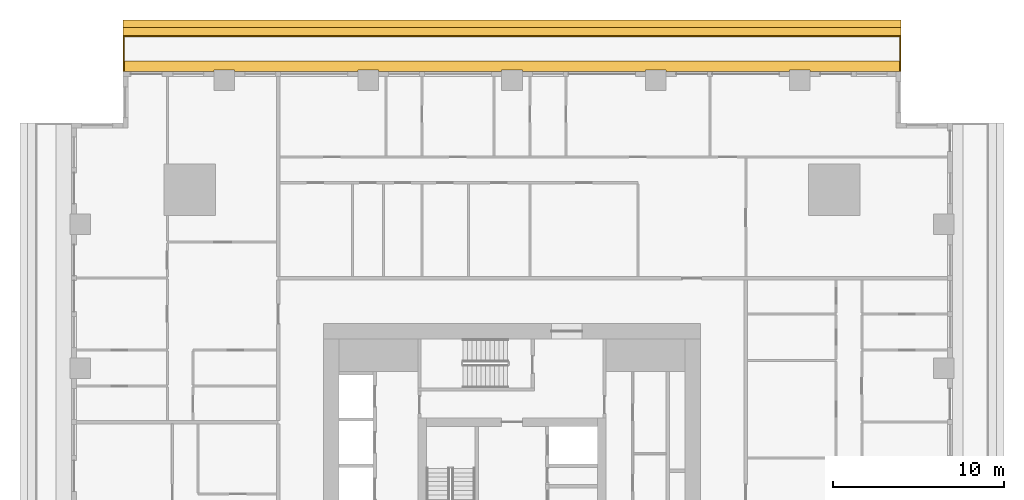
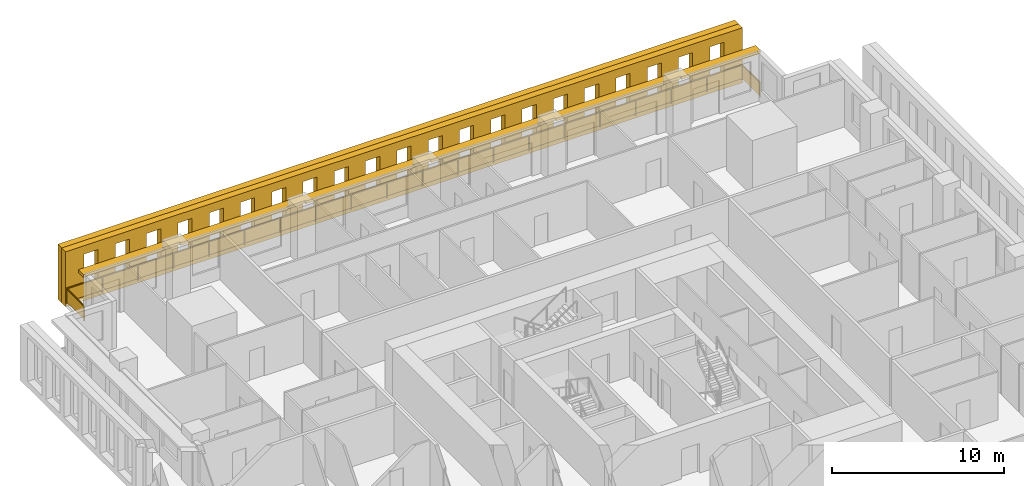
# One storey, part 14 of 14: 3 shading devices, 1 railing.
"""IFC4 building model written with IfcOpenShell, lengths in metres."""

import ifcopenshell
import ifcopenshell.guid

model = None  # the IFC model being written
_history = None  # IfcOwnerHistory: only IFC2X3 demands one
_inside = {}  # id of a spatial element -> (the spatial element, [elements in it])
_under = {}  # id of a project, library or spatial element -> (it, [spatial elements below it])
_declared = {}  # id of a project -> (the project, [libraries it declares])
_typed = {}  # id of a type object -> (the type object, [elements of that type])
_made_of = {}  # id of a material, layer set ... -> (it, [elements and type objects made of it])


def new_model(schema):
    """Start an empty IFC model of exactly this schema.

    Asked for "IFC4X3", IfcOpenShell would pick the latest addendum, in which some entities
    have other attributes; the version numbers below select the first issue.
    IFC2X3 requires an IfcOwnerHistory on every rooted entity: one is made here for all.
    """
    global model, _history
    if schema == "IFC4X3":
        model = ifcopenshell.file(schema_version=(4, 3, 0, 0))
    else:
        model = ifcopenshell.file(schema=schema)
    _inside.clear()
    _under.clear()
    _declared.clear()
    _typed.clear()
    _made_of.clear()
    _history = None
    if model.schema == "IFC2X3":
        org = make("IfcOrganization", Name="unknown")
        user = make(
            "IfcPersonAndOrganization",
            ThePerson=make("IfcPerson", FamilyName="unknown"),
            TheOrganization=org,
        )
        app = make(
            "IfcApplication",
            ApplicationDeveloper=org,
            Version="unknown",
            ApplicationFullName="unknown",
            ApplicationIdentifier="unknown",
        )
        _history = make(
            "IfcOwnerHistory",
            OwningUser=user,
            OwningApplication=app,
            ChangeAction="ADDED",
            CreationDate=0,
        )
    return model


def make(cls, **values):
    """One entity of the class cls with the attributes given. An attribute that is None is left unset."""
    return model.create_entity(
        cls, **{name: value for name, value in values.items() if value is not None}
    )


def rooted(cls, **values):
    """An entity with a GlobalId (a new one), such as an element, a storey or a relation."""
    return make(cls, GlobalId=ifcopenshell.guid.new(), OwnerHistory=_history, **values)


def si_unit(unit_type, name, prefix=None):
    """IfcSIUnit, for example si_unit("LENGTHUNIT", "METRE", prefix="MILLI")."""
    return make("IfcSIUnit", UnitType=unit_type, Prefix=prefix, Name=name)


def assignment(units):
    """IfcUnitAssignment: the units of a project."""
    return None if units is None else make("IfcUnitAssignment", Units=units)


def point(xyz):
    """IfcCartesianPoint."""
    return None if xyz is None else make("IfcCartesianPoint", Coordinates=xyz)


def direction(xyz):
    """IfcDirection."""
    return None if xyz is None else make("IfcDirection", DirectionRatios=xyz)


def frame(location, z_axis=None, x_axis=None):
    """IfcAxis2Placement3D, a coordinate frame: its origin and axes. An axis left out is left unset."""
    return make(
        "IfcAxis2Placement3D",
        Location=point(location),
        Axis=direction(z_axis),
        RefDirection=direction(x_axis),
    )


def frame_2d(location, x_axis=None):
    """IfcAxis2Placement2D, a coordinate frame in the plane: its origin and x axis."""
    return make(
        "IfcAxis2Placement2D", Location=point(location), RefDirection=direction(x_axis)
    )


def origin():
    """The frame at (0, 0, 0) with its axes left unset."""
    return frame((0.0, 0.0, 0.0))


def origin_2d():
    """The frame at (0, 0) in the plane with its x axis left unset."""
    return frame_2d((0.0, 0.0))


def place(relative_to, where):
    """IfcLocalPlacement: puts the frame where relative to a parent placement (None: the world)."""
    return make(
        "IfcLocalPlacement", PlacementRelTo=relative_to, RelativePlacement=where
    )


def context(
    kind, dimensions, precision=None, world=None, true_north=None, identifier=None
):
    """IfcGeometricRepresentationContext, for example the 3D "Model" context."""
    return make(
        "IfcGeometricRepresentationContext",
        ContextIdentifier=identifier,
        ContextType=kind,
        CoordinateSpaceDimension=dimensions,
        Precision=precision,
        WorldCoordinateSystem=world,
        TrueNorth=true_north,
    )


def subcontext(parent, identifier, kind, view, scale=None):
    """IfcGeometricRepresentationSubContext, for example "Body" below "Model"."""
    return make(
        "IfcGeometricRepresentationSubContext",
        ContextIdentifier=identifier,
        ContextType=kind,
        ParentContext=parent,
        TargetScale=scale,
        TargetView=view,
    )


def project(units=None, contexts=None):
    """IfcProject with its units and contexts."""
    return rooted(
        "IfcProject",
        Name="project",
        RepresentationContexts=contexts,
        UnitsInContext=assignment(units),
    )


def spatial(cls, under=None, at=None, **own):
    """A site, building, storey or space (cls), placed at a placement, below another one or the project."""
    s = rooted(cls, ObjectPlacement=at, **own)
    if under is not None:
        _under.setdefault(under.id(), (under, []))[1].append(s)
    return s


def polyline(points):
    """IfcPolyline through the points."""
    return make("IfcPolyline", Points=[point(p) for p in points])


def profile(cls, at=None, kind="AREA", **sizes):
    """A parametric profile (cls). Its sizes go by their IFC names, for example OverallWidth=200.0."""
    return make(cls, ProfileType=kind, Position=at, **sizes)


def rectangle(**sizes):
    """IfcRectangleProfileDef."""
    return profile("IfcRectangleProfileDef", **sizes)


def outline(outer, holes=None, kind="AREA"):
    """IfcArbitraryClosedProfileDef: a profile drawn as a closed curve; with holes, ...WithVoids."""
    if holes is None:
        return make("IfcArbitraryClosedProfileDef", ProfileType=kind, OuterCurve=outer)
    return make(
        "IfcArbitraryProfileDefWithVoids",
        ProfileType=kind,
        OuterCurve=outer,
        InnerCurves=holes,
    )


def extrude(swept, where, along, depth):
    """IfcExtrudedAreaSolid: the profile swept, set in the frame where, extruded along a direction by depth."""
    return make(
        "IfcExtrudedAreaSolid",
        SweptArea=swept,
        Position=where,
        ExtrudedDirection=direction(along),
        Depth=depth,
    )


def shape(context_of_items, identifier, shape_type, items):
    """IfcShapeRepresentation: the items that make up one representation, for example the "Body"."""
    return make(
        "IfcShapeRepresentation",
        ContextOfItems=context_of_items,
        RepresentationIdentifier=identifier,
        RepresentationType=shape_type,
        Items=items,
    )


def material(Name=None, Category=None):
    """IfcMaterial."""
    return make("IfcMaterial", Name=Name, Category=Category)


def layer(
    of_material, thickness, ventilated=None, Name=None, Category=None, Priority=None
):
    """IfcMaterialLayer: one layer of a wall or slab, of a material (None: an air gap)."""
    return make(
        "IfcMaterialLayer",
        Material=of_material,
        LayerThickness=thickness,
        IsVentilated=ventilated,
        Name=Name,
        Category=Category,
        Priority=Priority,
    )


def layer_set(layers, Name=None):
    """IfcMaterialLayerSet."""
    return make("IfcMaterialLayerSet", MaterialLayers=layers, LayerSetName=Name)


def made_of(thing, what):
    """Note that an element or type object is made of a material, layer set ...; save() writes the relation."""
    if what is not None:
        _made_of.setdefault(what.id(), (what, []))[1].append(thing)
    return thing


def type_object(cls, material=None, **own):
    """A type object (cls), such as IfcWallType, which elements share."""
    return made_of(rooted(cls, **own), material)


def element(
    cls,
    number,
    at=None,
    inside=None,
    cuts=None,
    type_object=None,
    material=None,
    context=None,
    identifier="Body",
    shape_type=None,
    held_by="IfcProductDefinitionShape",
    body=None,
    shapes=None,
    **own,
):
    """One element of the class cls, such as IfcWall. Its Tag is "e" and its number.

    at: its placement. inside: the storey or other place that contains it. cuts: it is an
    opening in that element (IfcRelVoidsElement). A single representation is given by context,
    identifier, shape_type and body (its items); several are given by shapes. held_by: the class
    of the entity that holds the representations. save() writes the other relations.
    """
    e = rooted(cls, Tag="e%d" % number, ObjectPlacement=at, **own)
    if body is not None:
        shapes = [shape(context, identifier, shape_type, body)]
    if shapes is not None:
        e.Representation = make(held_by, Representations=shapes)
    if inside is not None:
        _inside.setdefault(inside.id(), (inside, []))[1].append(e)
    if cuts is not None:
        rooted(
            "IfcRelVoidsElement", RelatingBuildingElement=cuts, RelatedOpeningElement=e
        )
    if type_object is not None:
        _typed.setdefault(type_object.id(), (type_object, []))[1].append(e)
    return made_of(e, material)


def aggregate(whole, parts):
    """IfcRelAggregates: a whole, such as a stair, and the parts it consists of."""
    return rooted("IfcRelAggregates", RelatingObject=whole, RelatedObjects=parts)


def save(model, path):
    """Write the relations noted so far, then the file.

    IfcRelAggregates (storeys below a building ...), IfcRelContainedInSpatialStructure (elements
    in a storey), IfcRelDefinesByType, IfcRelAssociatesMaterial and IfcRelDeclares: one each for
    every whole, place, type object, material and project.
    """
    for whole, parts in _under.values():
        aggregate(whole, parts)
    for where, things in _inside.values():
        rooted(
            "IfcRelContainedInSpatialStructure",
            RelatedElements=things,
            RelatingStructure=where,
        )
    for kind, things in _typed.values():
        rooted("IfcRelDefinesByType", RelatedObjects=things, RelatingType=kind)
    for what, things in _made_of.values():
        rooted("IfcRelAssociatesMaterial", RelatedObjects=things, RelatingMaterial=what)
    for by, libraries in _declared.values():
        rooted("IfcRelDeclares", RelatingContext=by, RelatedDefinitions=libraries)
    model.write(path)


model = new_model("IFC4")

# Units and contexts
model_context = context("Model", 3, precision=1e-05, world=origin(), true_north=direction((0.0, 1.0)))
body_context = subcontext(model_context, "Body", "Model", "MODEL_VIEW")
ifc_project = project(units=[si_unit("LENGTHUNIT", "METRE"), si_unit("AREAUNIT", "SQUARE_METRE"), si_unit("VOLUMEUNIT", "CUBIC_METRE"), si_unit("PLANEANGLEUNIT", "RADIAN"), si_unit("MASSUNIT", "GRAM", prefix="KILO")], contexts=[model_context])

# Site, building, storey
site_placement = place(None, origin())
site = spatial("IfcSite", under=ifc_project, at=site_placement, CompositionType="ELEMENT")
building_placement = place(site_placement, origin())
building = spatial("IfcBuilding", under=site, at=building_placement, Name="Khepri Terraces", CompositionType="ELEMENT")
storey_placement = place(building_placement, frame((0.0, 0.0, 69.89990234375)))
storey = spatial("IfcBuildingStorey", under=building, at=storey_placement, Name="L16", CompositionType="ELEMENT", Elevation=69.89990234375)

# Railing
ifc_material_1 = material(Name="Stainless steel grade 316", Category="steel")
railing_type = type_object("IfcRailingType", Name="GRD-BAL-1100", PredefinedType="GUARDRAIL", material=ifc_material_1)
railing_placement = place(storey_placement, frame((22.669921875, 25.719970703125, 0.0)))
element("IfcRailing", 1, at=railing_placement, inside=storey, type_object=railing_type, Name="Balcony guard L16 N", PredefinedType="GUARDRAIL", context=body_context, shape_type="SweptSolid", body=[
    extrude(rectangle(XDim=0.050048828125, YDim=0.06005859375, at=origin_2d()), frame((0.0, 0.0, 1.070068359375), z_axis=(0.0, 1.0, 0.0), x_axis=(-1.0, 0.0, 0.0)), (0.0, 0.0, 1.0), 2.050048828125),
    extrude(rectangle(XDim=2.0, YDim=0.011962890625, at=origin_2d()), frame((0.0, 1.02490234375, 0.10009765625), z_axis=(0.0, 0.0, 1.0), x_axis=(0.0, 1.0, 0.0)), (0.0, 0.0, 1.0), 0.93994140625),
    extrude(rectangle(XDim=0.050048828125, YDim=0.06005859375, at=origin_2d()), frame((0.0, 2.050048828125, 1.070068359375), z_axis=(-1.0, 0.0, 0.0), x_axis=(0.0, -1.0, 0.0)), (0.0, 0.0, 1.0), 45.33984375),
    extrude(rectangle(XDim=2.336181640625, YDim=0.011962890625, at=origin_2d()), frame((-1.193115234375, 2.050048828125, 0.10009765625), z_axis=(0.0, 0.0, 1.0), x_axis=(-1.0, 0.0, 0.0)), (0.0, 0.0, 1.0), 0.93994140625),
    extrude(rectangle(XDim=2.336181640625, YDim=0.011962890625, at=origin_2d()), frame((-3.579345703125, 2.050048828125, 0.10009765625), z_axis=(0.0, 0.0, 1.0), x_axis=(-1.0, 0.0, 0.0)), (0.0, 0.0, 1.0), 0.93994140625),
    extrude(rectangle(XDim=2.336181640625, YDim=0.011962890625, at=origin_2d()), frame((-5.9658203125, 2.050048828125, 0.10009765625), z_axis=(0.0, 0.0, 1.0), x_axis=(-1.0, 0.0, 0.0)), (0.0, 0.0, 1.0), 0.93994140625),
    extrude(rectangle(XDim=2.336181640625, YDim=0.011962890625, at=origin_2d()), frame((-8.35205078125, 2.050048828125, 0.10009765625), z_axis=(0.0, 0.0, 1.0), x_axis=(-1.0, 0.0, 0.0)), (0.0, 0.0, 1.0), 0.93994140625),
    extrude(rectangle(XDim=2.336181640625, YDim=0.011962890625, at=origin_2d()), frame((-10.73828125, 2.050048828125, 0.10009765625), z_axis=(0.0, 0.0, 1.0), x_axis=(-1.0, 0.0, 0.0)), (0.0, 0.0, 1.0), 0.93994140625),
    extrude(rectangle(XDim=2.336181640625, YDim=0.011962890625, at=origin_2d()), frame((-13.124755859375, 2.050048828125, 0.10009765625), z_axis=(0.0, 0.0, 1.0), x_axis=(-1.0, 0.0, 0.0)), (0.0, 0.0, 1.0), 0.93994140625),
    extrude(rectangle(XDim=2.336181640625, YDim=0.011962890625, at=origin_2d()), frame((-15.510986328125, 2.050048828125, 0.10009765625), z_axis=(0.0, 0.0, 1.0), x_axis=(-1.0, 0.0, 0.0)), (0.0, 0.0, 1.0), 0.93994140625),
    extrude(rectangle(XDim=2.336181640625, YDim=0.011962890625, at=origin_2d()), frame((-17.897216796875, 2.050048828125, 0.10009765625), z_axis=(0.0, 0.0, 1.0), x_axis=(-1.0, 0.0, 0.0)), (0.0, 0.0, 1.0), 0.93994140625),
    extrude(rectangle(XDim=2.336181640625, YDim=0.011962890625, at=origin_2d()), frame((-20.28369140625, 2.050048828125, 0.10009765625), z_axis=(0.0, 0.0, 1.0), x_axis=(-1.0, 0.0, 0.0)), (0.0, 0.0, 1.0), 0.93994140625),
    extrude(rectangle(XDim=2.336181640625, YDim=0.011962890625, at=origin_2d()), frame((-22.669921875, 2.050048828125, 0.10009765625), z_axis=(0.0, 0.0, 1.0), x_axis=(-1.0, 0.0, 0.0)), (0.0, 0.0, 1.0), 0.93994140625),
    extrude(rectangle(XDim=2.336181640625, YDim=0.011962890625, at=origin_2d()), frame((-25.05615234375, 2.050048828125, 0.10009765625), z_axis=(0.0, 0.0, 1.0), x_axis=(-1.0, 0.0, 0.0)), (0.0, 0.0, 1.0), 0.93994140625),
    extrude(rectangle(XDim=2.336181640625, YDim=0.011962890625, at=origin_2d()), frame((-27.442626953125, 2.050048828125, 0.10009765625), z_axis=(0.0, 0.0, 1.0), x_axis=(-1.0, 0.0, 0.0)), (0.0, 0.0, 1.0), 0.93994140625),
    extrude(rectangle(XDim=2.336181640625, YDim=0.011962890625, at=origin_2d()), frame((-29.828857421875, 2.050048828125, 0.10009765625), z_axis=(0.0, 0.0, 1.0), x_axis=(-1.0, 0.0, 0.0)), (0.0, 0.0, 1.0), 0.93994140625),
    extrude(rectangle(XDim=2.336181640625, YDim=0.011962890625, at=origin_2d()), frame((-32.215087890625, 2.050048828125, 0.10009765625), z_axis=(0.0, 0.0, 1.0), x_axis=(-1.0, 0.0, 0.0)), (0.0, 0.0, 1.0), 0.93994140625),
    extrude(rectangle(XDim=2.336181640625, YDim=0.011962890625, at=origin_2d()), frame((-34.6015625, 2.050048828125, 0.10009765625), z_axis=(0.0, 0.0, 1.0), x_axis=(-1.0, 0.0, 0.0)), (0.0, 0.0, 1.0), 0.93994140625),
    extrude(rectangle(XDim=2.336181640625, YDim=0.011962890625, at=origin_2d()), frame((-36.98779296875, 2.050048828125, 0.10009765625), z_axis=(0.0, 0.0, 1.0), x_axis=(-1.0, 0.0, 0.0)), (0.0, 0.0, 1.0), 0.93994140625),
    extrude(rectangle(XDim=2.336181640625, YDim=0.011962890625, at=origin_2d()), frame((-39.3740234375, 2.050048828125, 0.10009765625), z_axis=(0.0, 0.0, 1.0), x_axis=(-1.0, 0.0, 0.0)), (0.0, 0.0, 1.0), 0.93994140625),
    extrude(rectangle(XDim=2.336181640625, YDim=0.011962890625, at=origin_2d()), frame((-41.760498046875, 2.050048828125, 0.10009765625), z_axis=(0.0, 0.0, 1.0), x_axis=(-1.0, 0.0, 0.0)), (0.0, 0.0, 1.0), 0.93994140625),
    extrude(rectangle(XDim=2.336181640625, YDim=0.011962890625, at=origin_2d()), frame((-44.146728515625, 2.050048828125, 0.10009765625), z_axis=(0.0, 0.0, 1.0), x_axis=(-1.0, 0.0, 0.0)), (0.0, 0.0, 1.0), 0.93994140625),
    extrude(rectangle(XDim=0.050048828125, YDim=0.06005859375, at=origin_2d()), frame((-45.33984375, 2.050048828125, 1.070068359375), z_axis=(0.0, -1.0, 0.0), x_axis=(1.0, 0.0, 0.0)), (0.0, 0.0, 1.0), 2.050048828125),
    extrude(rectangle(XDim=2.0, YDim=0.011962890625, at=origin_2d()), frame((-45.33984375, 1.02490234375, 0.10009765625), z_axis=(0.0, 0.0, 1.0), x_axis=(0.0, -1.0, 0.0)), (0.0, 0.0, 1.0), 0.93994140625),
    extrude(rectangle(XDim=0.050048828125, YDim=0.050048828125, at=origin_2d()), origin(), (0.0, 0.0, 1.0), 1.0400390625),
    extrude(rectangle(XDim=0.050048828125, YDim=0.050048828125, at=origin_2d()), frame((0.0, 2.050048828125, 0.0)), (0.0, 0.0, 1.0), 1.0400390625),
    extrude(rectangle(XDim=0.050048828125, YDim=0.050048828125, at=origin_2d()), frame((-2.38623046875, 2.050048828125, 0.0)), (0.0, 0.0, 1.0), 1.0400390625),
    extrude(rectangle(XDim=0.050048828125, YDim=0.050048828125, at=origin_2d()), frame((-4.772705078125, 2.050048828125, 0.0)), (0.0, 0.0, 1.0), 1.0400390625),
    extrude(rectangle(XDim=0.050048828125, YDim=0.050048828125, at=origin_2d()), frame((-7.158935546875, 2.050048828125, 0.0)), (0.0, 0.0, 1.0), 1.0400390625),
    extrude(rectangle(XDim=0.050048828125, YDim=0.050048828125, at=origin_2d()), frame((-9.545166015625, 2.050048828125, 0.0)), (0.0, 0.0, 1.0), 1.0400390625),
    extrude(rectangle(XDim=0.050048828125, YDim=0.050048828125, at=origin_2d()), frame((-11.931640625, 2.050048828125, 0.0)), (0.0, 0.0, 1.0), 1.0400390625),
    extrude(rectangle(XDim=0.050048828125, YDim=0.050048828125, at=origin_2d()), frame((-14.31787109375, 2.050048828125, 0.0)), (0.0, 0.0, 1.0), 1.0400390625),
    extrude(rectangle(XDim=0.050048828125, YDim=0.050048828125, at=origin_2d()), frame((-16.7041015625, 2.050048828125, 0.0)), (0.0, 0.0, 1.0), 1.0400390625),
    extrude(rectangle(XDim=0.050048828125, YDim=0.050048828125, at=origin_2d()), frame((-19.090576171875, 2.050048828125, 0.0)), (0.0, 0.0, 1.0), 1.0400390625),
    extrude(rectangle(XDim=0.050048828125, YDim=0.050048828125, at=origin_2d()), frame((-21.476806640625, 2.050048828125, 0.0)), (0.0, 0.0, 1.0), 1.0400390625),
    extrude(rectangle(XDim=0.050048828125, YDim=0.050048828125, at=origin_2d()), frame((-23.863037109375, 2.050048828125, 0.0)), (0.0, 0.0, 1.0), 1.0400390625),
    extrude(rectangle(XDim=0.050048828125, YDim=0.050048828125, at=origin_2d()), frame((-26.249267578125, 2.050048828125, 0.0)), (0.0, 0.0, 1.0), 1.0400390625),
    extrude(rectangle(XDim=0.050048828125, YDim=0.050048828125, at=origin_2d()), frame((-28.6357421875, 2.050048828125, 0.0)), (0.0, 0.0, 1.0), 1.0400390625),
    extrude(rectangle(XDim=0.050048828125, YDim=0.050048828125, at=origin_2d()), frame((-31.02197265625, 2.050048828125, 0.0)), (0.0, 0.0, 1.0), 1.0400390625),
    extrude(rectangle(XDim=0.050048828125, YDim=0.050048828125, at=origin_2d()), frame((-33.408203125, 2.050048828125, 0.0)), (0.0, 0.0, 1.0), 1.0400390625),
    extrude(rectangle(XDim=0.050048828125, YDim=0.050048828125, at=origin_2d()), frame((-35.794677734375, 2.050048828125, 0.0)), (0.0, 0.0, 1.0), 1.0400390625),
    extrude(rectangle(XDim=0.050048828125, YDim=0.050048828125, at=origin_2d()), frame((-38.180908203125, 2.050048828125, 0.0)), (0.0, 0.0, 1.0), 1.0400390625),
    extrude(rectangle(XDim=0.050048828125, YDim=0.050048828125, at=origin_2d()), frame((-40.567138671875, 2.050048828125, 0.0)), (0.0, 0.0, 1.0), 1.0400390625),
    extrude(rectangle(XDim=0.050048828125, YDim=0.050048828125, at=origin_2d()), frame((-42.95361328125, 2.050048828125, 0.0)), (0.0, 0.0, 1.0), 1.0400390625),
    extrude(rectangle(XDim=0.050048828125, YDim=0.050048828125, at=origin_2d()), frame((-45.33984375, 2.050048828125, 0.0)), (0.0, 0.0, 1.0), 1.0400390625),
    extrude(rectangle(XDim=0.050048828125, YDim=0.050048828125, at=origin_2d()), frame((-45.33984375, 0.0, 0.0)), (0.0, 0.0, 1.0), 1.0400390625),
])

# Shading devices
ifc_material_2 = material(Name="Precast concrete C50/60 warm stone", Category="masonry")
shading_device_type_1 = type_object("IfcShadingDeviceType", Name="SCR-CELL-INNER-450", PredefinedType="USERDEFINED", material=ifc_material_2)
shading_device_1_placement = place(storey_placement, frame((22.719970703125, 27.820068359375, -0.25), z_axis=(0.0, 1.0, 0.0), x_axis=(-1.0, 0.0, 0.0)))
element("IfcShadingDevice", 2, at=shading_device_1_placement, inside=storey, type_object=shading_device_type_1, Name="Cell screen L16 N in", ObjectType="SCREEN", PredefinedType="USERDEFINED", context=body_context, shape_type="SweptSolid", body=[
    extrude(outline(polyline([(0.0, 0.0), (45.43994140625, 0.0), (45.43994140625, 3.89990234375), (0.0, 3.89990234375), (0.0, 0.0)]), holes=[polyline([(1.24755859375, 0.699951171875), (2.1923828125, 0.699951171875), (2.1923828125, 3.300048828125), (1.24755859375, 3.300048828125), (1.24755859375, 0.699951171875)]), polyline([(3.347412109375, 0.699951171875), (4.29248046875, 0.699951171875), (4.29248046875, 3.300048828125), (3.347412109375, 3.300048828125), (3.347412109375, 0.699951171875)]), polyline([(5.447509765625, 0.699951171875), (6.392578125, 0.699951171875), (6.392578125, 3.300048828125), (5.447509765625, 3.300048828125), (5.447509765625, 0.699951171875)]), polyline([(7.547607421875, 0.699951171875), (8.492431640625, 0.699951171875), (8.492431640625, 3.300048828125), (7.547607421875, 3.300048828125), (7.547607421875, 0.699951171875)]), polyline([(9.6474609375, 0.699951171875), (10.592529296875, 0.699951171875), (10.592529296875, 3.300048828125), (9.6474609375, 3.300048828125), (9.6474609375, 0.699951171875)]), polyline([(11.74755859375, 0.699951171875), (12.6923828125, 0.699951171875), (12.6923828125, 3.300048828125), (11.74755859375, 3.300048828125), (11.74755859375, 0.699951171875)]), polyline([(13.847412109375, 0.699951171875), (14.79248046875, 0.699951171875), (14.79248046875, 3.300048828125), (13.847412109375, 3.300048828125), (13.847412109375, 0.699951171875)]), polyline([(15.947509765625, 0.699951171875), (16.892578125, 0.699951171875), (16.892578125, 3.300048828125), (15.947509765625, 3.300048828125), (15.947509765625, 0.699951171875)]), polyline([(18.047607421875, 0.699951171875), (18.992431640625, 0.699951171875), (18.992431640625, 3.300048828125), (18.047607421875, 3.300048828125), (18.047607421875, 0.699951171875)]), polyline([(20.1474609375, 0.699951171875), (21.092529296875, 0.699951171875), (21.092529296875, 3.300048828125), (20.1474609375, 3.300048828125), (20.1474609375, 0.699951171875)]), polyline([(22.24755859375, 0.699951171875), (23.1923828125, 0.699951171875), (23.1923828125, 3.300048828125), (22.24755859375, 3.300048828125), (22.24755859375, 0.699951171875)]), polyline([(24.347412109375, 0.699951171875), (25.29248046875, 0.699951171875), (25.29248046875, 3.300048828125), (24.347412109375, 3.300048828125), (24.347412109375, 0.699951171875)]), polyline([(26.447509765625, 0.699951171875), (27.392578125, 0.699951171875), (27.392578125, 3.300048828125), (26.447509765625, 3.300048828125), (26.447509765625, 0.699951171875)]), polyline([(28.547607421875, 0.699951171875), (29.492431640625, 0.699951171875), (29.492431640625, 3.300048828125), (28.547607421875, 3.300048828125), (28.547607421875, 0.699951171875)]), polyline([(30.6474609375, 0.699951171875), (31.592529296875, 0.699951171875), (31.592529296875, 3.300048828125), (30.6474609375, 3.300048828125), (30.6474609375, 0.699951171875)]), polyline([(32.74755859375, 0.699951171875), (33.6923828125, 0.699951171875), (33.6923828125, 3.300048828125), (32.74755859375, 3.300048828125), (32.74755859375, 0.699951171875)]), polyline([(34.847412109375, 0.699951171875), (35.79248046875, 0.699951171875), (35.79248046875, 3.300048828125), (34.847412109375, 3.300048828125), (34.847412109375, 0.699951171875)]), polyline([(36.947509765625, 0.699951171875), (37.892578125, 0.699951171875), (37.892578125, 3.300048828125), (36.947509765625, 3.300048828125), (36.947509765625, 0.699951171875)]), polyline([(39.047607421875, 0.699951171875), (39.992431640625, 0.699951171875), (39.992431640625, 3.300048828125), (39.047607421875, 3.300048828125), (39.047607421875, 0.699951171875)]), polyline([(41.1474609375, 0.699951171875), (42.092529296875, 0.699951171875), (42.092529296875, 3.300048828125), (41.1474609375, 3.300048828125), (41.1474609375, 0.699951171875)]), polyline([(43.24755859375, 0.699951171875), (44.1923828125, 0.699951171875), (44.1923828125, 3.300048828125), (43.24755859375, 3.300048828125), (43.24755859375, 0.699951171875)])]), origin(), (0.0, 0.0, 1.0), 0.449951171875),
])
shading_device_type_2 = type_object("IfcShadingDeviceType", Name="SCR-CELL-OUTER-450", PredefinedType="USERDEFINED", material=ifc_material_2)
shading_device_2_placement = place(storey_placement, frame((22.719970703125, 28.27001953125, -0.25), z_axis=(0.0, 1.0, 0.0), x_axis=(-1.0, 0.0, 0.0)))
element("IfcShadingDevice", 3, at=shading_device_2_placement, inside=storey, type_object=shading_device_type_2, Name="Cell screen L16 N out", ObjectType="SCREEN", PredefinedType="USERDEFINED", context=body_context, shape_type="SweptSolid", body=[
    extrude(outline(polyline([(0.0, 0.0), (45.43994140625, 0.0), (45.43994140625, 3.89990234375), (0.0, 3.89990234375), (0.0, 0.0)]), holes=[polyline([(0.8974609375, 0.449951171875), (2.54248046875, 0.449951171875), (2.54248046875, 3.550048828125), (0.8974609375, 3.550048828125), (0.8974609375, 0.449951171875)]), polyline([(2.99755859375, 0.449951171875), (4.642578125, 0.449951171875), (4.642578125, 3.550048828125), (2.99755859375, 3.550048828125), (2.99755859375, 0.449951171875)]), polyline([(5.097412109375, 0.449951171875), (6.742431640625, 0.449951171875), (6.742431640625, 3.550048828125), (5.097412109375, 3.550048828125), (5.097412109375, 0.449951171875)]), polyline([(7.197509765625, 0.449951171875), (8.842529296875, 0.449951171875), (8.842529296875, 3.550048828125), (7.197509765625, 3.550048828125), (7.197509765625, 0.449951171875)]), polyline([(9.297607421875, 0.449951171875), (10.9423828125, 0.449951171875), (10.9423828125, 3.550048828125), (9.297607421875, 3.550048828125), (9.297607421875, 0.449951171875)]), polyline([(11.3974609375, 0.449951171875), (13.04248046875, 0.449951171875), (13.04248046875, 3.550048828125), (11.3974609375, 3.550048828125), (11.3974609375, 0.449951171875)]), polyline([(13.49755859375, 0.449951171875), (15.142578125, 0.449951171875), (15.142578125, 3.550048828125), (13.49755859375, 3.550048828125), (13.49755859375, 0.449951171875)]), polyline([(15.597412109375, 0.449951171875), (17.242431640625, 0.449951171875), (17.242431640625, 3.550048828125), (15.597412109375, 3.550048828125), (15.597412109375, 0.449951171875)]), polyline([(17.697509765625, 0.449951171875), (19.342529296875, 0.449951171875), (19.342529296875, 3.550048828125), (17.697509765625, 3.550048828125), (17.697509765625, 0.449951171875)]), polyline([(19.797607421875, 0.449951171875), (21.4423828125, 0.449951171875), (21.4423828125, 3.550048828125), (19.797607421875, 3.550048828125), (19.797607421875, 0.449951171875)]), polyline([(21.8974609375, 0.449951171875), (23.54248046875, 0.449951171875), (23.54248046875, 3.550048828125), (21.8974609375, 3.550048828125), (21.8974609375, 0.449951171875)]), polyline([(23.99755859375, 0.449951171875), (25.642578125, 0.449951171875), (25.642578125, 3.550048828125), (23.99755859375, 3.550048828125), (23.99755859375, 0.449951171875)]), polyline([(26.097412109375, 0.449951171875), (27.742431640625, 0.449951171875), (27.742431640625, 3.550048828125), (26.097412109375, 3.550048828125), (26.097412109375, 0.449951171875)]), polyline([(28.197509765625, 0.449951171875), (29.842529296875, 0.449951171875), (29.842529296875, 3.550048828125), (28.197509765625, 3.550048828125), (28.197509765625, 0.449951171875)]), polyline([(30.297607421875, 0.449951171875), (31.9423828125, 0.449951171875), (31.9423828125, 3.550048828125), (30.297607421875, 3.550048828125), (30.297607421875, 0.449951171875)]), polyline([(32.3974609375, 0.449951171875), (34.04248046875, 0.449951171875), (34.04248046875, 3.550048828125), (32.3974609375, 3.550048828125), (32.3974609375, 0.449951171875)]), polyline([(34.49755859375, 0.449951171875), (36.142578125, 0.449951171875), (36.142578125, 3.550048828125), (34.49755859375, 3.550048828125), (34.49755859375, 0.449951171875)]), polyline([(36.597412109375, 0.449951171875), (38.242431640625, 0.449951171875), (38.242431640625, 3.550048828125), (36.597412109375, 3.550048828125), (36.597412109375, 0.449951171875)]), polyline([(38.697509765625, 0.449951171875), (40.342529296875, 0.449951171875), (40.342529296875, 3.550048828125), (38.697509765625, 3.550048828125), (38.697509765625, 0.449951171875)]), polyline([(40.797607421875, 0.449951171875), (42.4423828125, 0.449951171875), (42.4423828125, 3.550048828125), (40.797607421875, 3.550048828125), (40.797607421875, 0.449951171875)]), polyline([(42.8974609375, 0.449951171875), (44.54248046875, 0.449951171875), (44.54248046875, 3.550048828125), (42.8974609375, 3.550048828125), (42.8974609375, 0.449951171875)])]), origin(), (0.0, 0.0, 1.0), 0.449951171875),
])
ifc_layer = layer(ifc_material_2, 0.199951171875, Name="Precast concrete C50/60 warm stone", Category="masonry")
ifc_layer_set = layer_set([ifc_layer], Name="Precast concrete C50/60 warm stone")
shading_device_type_3 = type_object("IfcShadingDeviceType", Name="SSH-BAND-STONE-200-N", PredefinedType="USERDEFINED", material=ifc_layer_set)
shading_device_3_placement = place(storey_placement, frame((0.0, 0.0, 3.10009765625)))
element("IfcShadingDevice", 4, at=shading_device_3_placement, inside=storey, type_object=shading_device_type_3, Name="Sunshade band L16 N", ObjectType="SUNSHADE", PredefinedType="USERDEFINED", context=body_context, shape_type="SweptSolid", body=[
    extrude(outline(polyline([(17.39990234375, 25.719970703125), (22.719970703125, 25.719970703125), (22.719970703125, 26.320068359375), (-22.719970703125, 26.320068359375), (-22.719970703125, 25.719970703125), (-17.39990234375, 25.719970703125), (-17.39990234375, 25.800048828125), (-16.199951171875, 25.800048828125), (-16.199951171875, 25.719970703125), (-9.0, 25.719970703125), (-9.0, 25.800048828125), (-7.800048828125, 25.800048828125), (-7.800048828125, 25.719970703125), (-0.60009765625, 25.719970703125), (-0.60009765625, 25.800048828125), (0.60009765625, 25.800048828125), (0.60009765625, 25.719970703125), (7.800048828125, 25.719970703125), (7.800048828125, 25.800048828125), (9.0, 25.800048828125), (9.0, 25.719970703125), (16.199951171875, 25.719970703125), (16.199951171875, 25.800048828125), (17.39990234375, 25.800048828125), (17.39990234375, 25.719970703125)])), origin(), (0.0, 0.0, 1.0), 0.199951171875),
])

save(model, "model.ifc")
